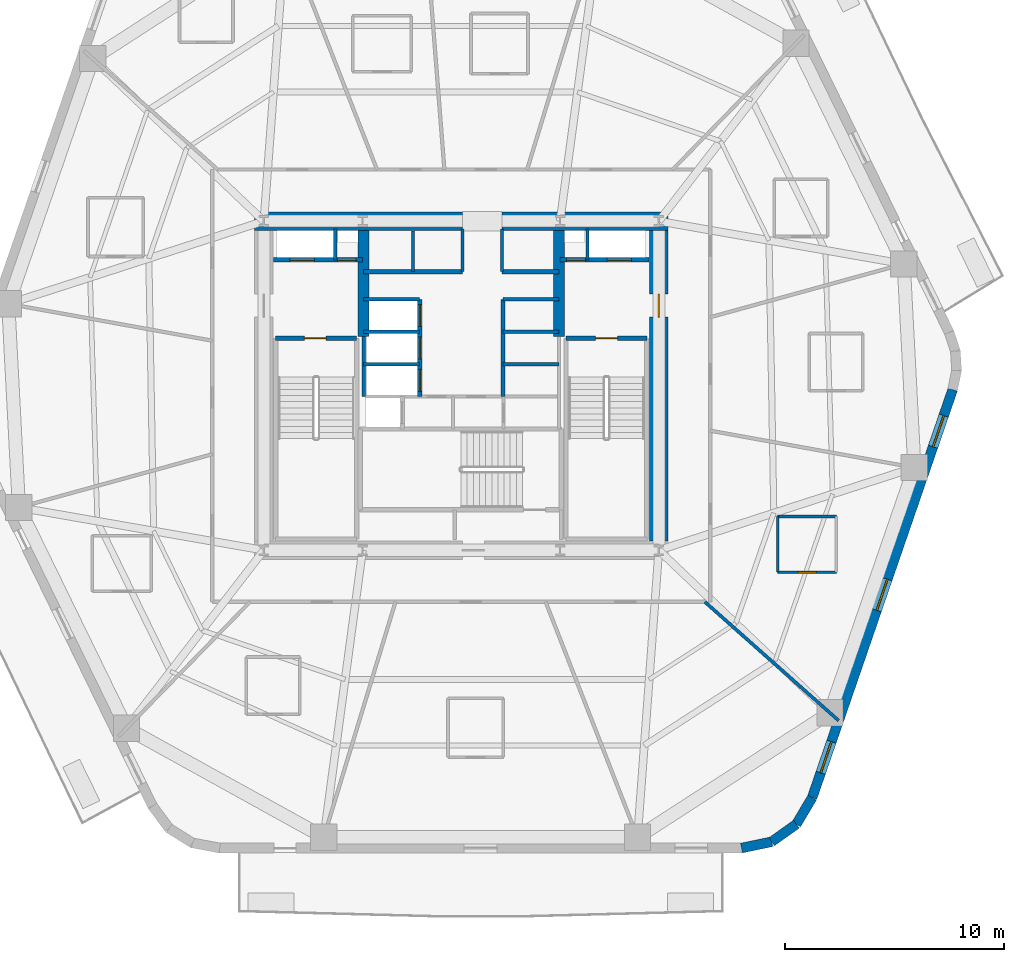
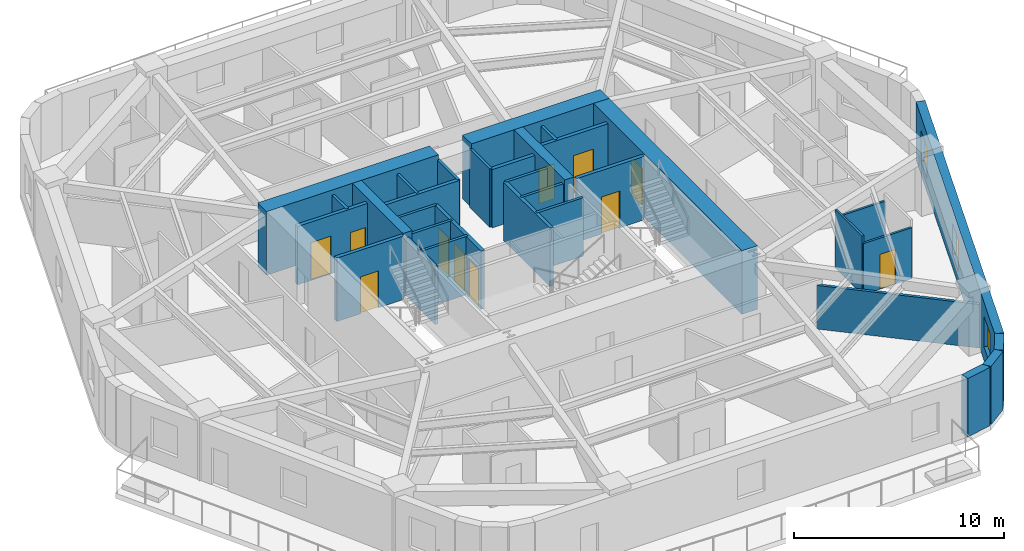
# One storey, part 4 of 9: 33 walls, 11 doors, 3 windows, 14 openings.
"""IFC4 building model written with IfcOpenShell, lengths in metres."""

from ifc_helpers import new_model, si_unit, direction, frame, frame_2d, origin, place, context, subcontext, project, spatial, rectangle, extrude, material, layer, layer_set, type_object, element, fill, save


model = new_model("IFC4")

# Units and contexts
model_context = context("Model", 3, precision=1e-05, world=origin(), true_north=direction((0.0, 1.0)))
body_context = subcontext(model_context, "Body", "Model", "MODEL_VIEW")
ifc_project = project(units=[si_unit("LENGTHUNIT", "METRE"), si_unit("AREAUNIT", "SQUARE_METRE"), si_unit("VOLUMEUNIT", "CUBIC_METRE"), si_unit("PLANEANGLEUNIT", "RADIAN"), si_unit("MASSUNIT", "GRAM", prefix="KILO")], contexts=[model_context])

# Site, building, storey
site_placement = place(None, origin())
site = spatial("IfcSite", under=ifc_project, at=site_placement, CompositionType="ELEMENT")
building_placement = place(site_placement, origin())
building = spatial("IfcBuilding", under=site, at=building_placement, Name="Kilnhurst Terrace Hotel", CompositionType="ELEMENT")
storey_placement = place(building_placement, frame((0.0, 0.0, 124.699951171875)))
storey = spatial("IfcBuildingStorey", under=building, at=storey_placement, Name="L30", CompositionType="ELEMENT", Elevation=124.699951171875)

# Walls
ifc_material_1 = material(Name="Precast concrete C40/50", Category="concrete")
ifc_layer_1 = layer(ifc_material_1, 0.449951171875, Name="Precast concrete C40/50")
ifc_layer_set_1 = layer_set([ifc_layer_1], Name="Precast concrete C40/50")
wall_type_1 = type_object("IfcWallType", Name="WL-BRK-450", PredefinedType="SOLIDWALL", material=ifc_layer_set_1)
wall_1_placement = place(storey_placement, frame((12.7705078125, -21.074951171875, 0.0), z_axis=(0.0, 0.0, 1.0), x_axis=(0.97874281988, 0.205091424819, 0.0)))
element("IfcWall", 1, at=wall_1_placement, inside=storey, type_object=wall_type_1, Name="L30 Rounded Corner Brick Wall C2.1", PredefinedType="SOLIDWALL", context=body_context, shape_type="SweptSolid", body=[
    extrude(rectangle(XDim=1.40576171875, YDim=0.449951171875, at=frame_2d((0.702880859375, 0.0))), origin(), (0.0, 0.0, 1.0), 3.400146484375),
])
wall_2_placement = place(storey_placement, frame((14.146484375, -20.78662109375, 0.0), z_axis=(0.0, 0.0, 1.0), x_axis=(0.814162929117, 0.580636482536, 0.0)))
element("IfcWall", 2, at=wall_2_placement, inside=storey, type_object=wall_type_1, Name="L30 Rounded Corner Brick Wall C2.2", PredefinedType="SOLIDWALL", context=body_context, shape_type="SweptSolid", body=[
    extrude(rectangle(XDim=1.382080078125, YDim=0.449951171875, at=frame_2d((0.69091796875, 0.0))), origin(), (0.0, 0.0, 1.0), 3.400146484375),
])
wall_3_placement = place(storey_placement, frame((15.271728515625, -19.984130859375, 0.0), z_axis=(0.0, 0.0, 1.0), x_axis=(0.512579347361, 0.858639862025, 0.0)))
element("IfcWall", 3, at=wall_3_placement, inside=storey, type_object=wall_type_1, Name="L30 Rounded Corner Brick Wall C2.3", PredefinedType="SOLIDWALL", context=body_context, shape_type="SweptSolid", body=[
    extrude(rectangle(XDim=1.406005859375, YDim=0.449951171875, at=frame_2d((0.703125, 0.0))), origin(), (0.0, 0.0, 1.0), 3.400146484375),
])

# Wall, openings, windows
wall_4_placement = place(storey_placement, frame((15.992431640625, -18.77685546875, 0.0), z_axis=(0.0, 0.0, 1.0), x_axis=(0.325606988926, 0.945505202927, 0.0)))
wall_4 = element("IfcWall", 4, at=wall_4_placement, inside=storey, type_object=wall_type_1, Name="L30 Exterior Brick Facade Wall F2", PredefinedType="SOLIDWALL", context=body_context, shape_type="SweptSolid", body=[
    extrude(rectangle(XDim=19.66943359375, YDim=0.449951171875, at=frame_2d((9.834716796875, 0.0))), origin(), (0.0, 0.0, 1.0), 3.400146484375),
])
opening_1_placement = place(wall_4_placement, frame((1.197021484375, 0.0, 0.800048828125)))
opening_1 = element("IfcOpeningElement", 5, at=opening_1_placement, cuts=wall_4, Name="Opening W-02", PredefinedType="OPENING", context=body_context, shape_type="SweptSolid", body=[
    extrude(rectangle(XDim=1.5, YDim=1.800048828125, at=frame_2d((0.75, 0.89990234375))), frame((0.0, 0.23486328125, 0.0), z_axis=(0.0, -1.0, 0.0), x_axis=(1.0, 0.0, 0.0)), (0.0, 0.0, 1.0), 0.469970703125),
])
opening_2_placement = place(wall_4_placement, frame((9.030029296875, 0.0, 0.800048828125)))
opening_2 = element("IfcOpeningElement", 6, at=opening_2_placement, cuts=wall_4, Name="Opening W-02", PredefinedType="OPENING", context=body_context, shape_type="SweptSolid", body=[
    extrude(rectangle(XDim=1.5, YDim=1.800048828125, at=frame_2d((0.75, 0.89990234375))), frame((0.0, 0.23486328125, 0.0), z_axis=(0.0, -1.0, 0.0), x_axis=(1.0, 0.0, 0.0)), (0.0, 0.0, 1.0), 0.469970703125),
])
opening_3_placement = place(wall_4_placement, frame((16.91796875, 0.0, 0.800048828125)))
opening_3 = element("IfcOpeningElement", 7, at=opening_3_placement, cuts=wall_4, Name="Opening W-02", PredefinedType="OPENING", context=body_context, shape_type="SweptSolid", body=[
    extrude(rectangle(XDim=1.5, YDim=1.800048828125, at=frame_2d((0.75, 0.89990234375))), frame((0.0, 0.23486328125, 0.0), z_axis=(0.0, -1.0, 0.0), x_axis=(1.0, 0.0, 0.0)), (0.0, 0.0, 1.0), 0.469970703125),
])
ifc_material_2 = material(Name="Thermally Broken Bronze Aluminium Alloy 6063-T6 and Low-E Glass", Category="aluminium")
window_type = type_object("IfcWindowType", Name="WIN-1500X1800", PartitioningType="SINGLE_PANEL", PredefinedType="WINDOW", material=ifc_material_2)
window_1_placement = place(opening_1_placement, origin())
window_1 = element("IfcWindow", 8, at=window_1_placement, inside=storey, type_object=window_type, Name="L30 Deep-Set Masonry Window F2.1", OverallHeight=1.800048828125, OverallWidth=1.5, PartitioningType="SINGLE_PANEL", PredefinedType="WINDOW", context=body_context, shape_type="SweptSolid", body=[
    extrude(rectangle(XDim=1.5, YDim=1.800048828125, at=frame_2d((0.75, 0.89990234375))), frame((0.0, 0.030029296875, 0.0), z_axis=(0.0, -1.0, 0.0), x_axis=(1.0, 0.0, 0.0)), (0.0, 0.0, 1.0), 0.06005859375),
])
fill(opening_1, window_1)
window_2_placement = place(opening_2_placement, origin())
window_2 = element("IfcWindow", 9, at=window_2_placement, inside=storey, type_object=window_type, Name="L30 Deep-Set Masonry Window F2.2", OverallHeight=1.800048828125, OverallWidth=1.5, PartitioningType="SINGLE_PANEL", PredefinedType="WINDOW", context=body_context, shape_type="SweptSolid", body=[
    extrude(rectangle(XDim=1.5, YDim=1.800048828125, at=frame_2d((0.75, 0.89990234375))), frame((0.0, 0.030029296875, 0.0), z_axis=(0.0, -1.0, 0.0), x_axis=(1.0, 0.0, 0.0)), (0.0, 0.0, 1.0), 0.06005859375),
])
fill(opening_2, window_2)
window_3_placement = place(opening_3_placement, origin())
window_3 = element("IfcWindow", 10, at=window_3_placement, inside=storey, type_object=window_type, Name="L30 Deep-Set Masonry Window F2.3", OverallHeight=1.800048828125, OverallWidth=1.5, PartitioningType="SINGLE_PANEL", PredefinedType="WINDOW", context=body_context, shape_type="SweptSolid", body=[
    extrude(rectangle(XDim=1.5, YDim=1.800048828125, at=frame_2d((0.75, 0.89990234375))), frame((0.0, 0.030029296875, 0.0), z_axis=(0.0, -1.0, 0.0), x_axis=(1.0, 0.0, 0.0)), (0.0, 0.0, 1.0), 0.06005859375),
])
fill(opening_3, window_3)

# Walls
ifc_material_3 = material(Name="Concrete C80/95", Category="concrete")
ifc_layer_2 = layer(ifc_material_3, 0.85009765625, Name="Concrete C80/95")
ifc_layer_set_2 = layer_set([ifc_layer_2], Name="Concrete C80/95")
wall_type_2 = type_object("IfcWallType", Name="WL-CORE-850", PredefinedType="SHEAR", material=ifc_layer_set_2)
wall_5_placement = place(storey_placement, frame((-9.425048828125, 7.5, 0.0), z_axis=(0.0, 0.0, 1.0), x_axis=(1.0, 0.0, 0.0)))
element("IfcWall", 11, at=wall_5_placement, inside=storey, type_object=wall_type_2, Name="L30 Core North West Shear Wall", PredefinedType="SHEAR", context=body_context, shape_type="SweptSolid", body=[
    extrude(rectangle(XDim=9.47509765625, YDim=0.85009765625, at=frame_2d((4.737548828125, 0.0))), origin(), (0.0, 0.0, 1.0), 3.699951171875),
])
wall_6_placement = place(storey_placement, frame((1.85009765625, 7.5, 0.0), z_axis=(0.0, 0.0, 1.0), x_axis=(1.0, 0.0, 0.0)))
element("IfcWall", 12, at=wall_6_placement, inside=storey, type_object=wall_type_2, Name="L30 Core North East Shear Wall", PredefinedType="SHEAR", context=body_context, shape_type="SweptSolid", body=[
    extrude(rectangle(XDim=7.574951171875, YDim=0.85009765625, at=frame_2d((3.78759765625, 0.0))), origin(), (0.0, 0.0, 1.0), 3.699951171875),
])

# Wall, opening, door
wall_7_placement = place(storey_placement, frame((9.0, -7.074951171875, 0.0), z_axis=(0.0, 0.0, 1.0), x_axis=(0.0, 1.0, 0.0)))
wall_7 = element("IfcWall", 13, at=wall_7_placement, inside=storey, type_object=wall_type_2, Name="L30 Core East Shear Wall", PredefinedType="SHEAR", context=body_context, shape_type="SweptSolid", body=[
    extrude(rectangle(XDim=14.14990234375, YDim=0.85009765625, at=frame_2d((7.074951171875, 0.0))), origin(), (0.0, 0.0, 1.0), 3.699951171875),
])
opening_4_placement = place(wall_7_placement, frame((10.199951171875, 0.0, 0.0)))
opening_4 = element("IfcOpeningElement", 14, at=opening_4_placement, cuts=wall_7, Name="Opening D-90A", PredefinedType="OPENING", context=body_context, shape_type="SweptSolid", body=[
    extrude(rectangle(XDim=1.050048828125, YDim=2.14990234375, at=frame_2d((0.52490234375, 1.074951171875))), frame((0.0, 0.43505859375, 0.0), z_axis=(0.0, -1.0, 0.0), x_axis=(1.0, 0.0, 0.0)), (0.0, 0.0, 1.0), 0.8701171875),
])
ifc_material_4 = material(Name="Painted Hollow Metal Steel ASTM A36 Fire Door", Category="steel")
door_type_1 = type_object("IfcDoorType", Name="DR-FD90-1050", OperationType="NOTDEFINED", PredefinedType="DOOR", material=ifc_material_4)
door_1_placement = place(opening_4_placement, origin())
door_1 = element("IfcDoor", 15, at=door_1_placement, inside=storey, type_object=door_type_1, Name="L30 East Firefighting Lobby Door", OperationType="SINGLE_SWING_LEFT", OverallHeight=2.14990234375, OverallWidth=1.050048828125, PredefinedType="DOOR", context=body_context, shape_type="SweptSolid", body=[
    extrude(rectangle(XDim=1.050048828125, YDim=2.14990234375, at=frame_2d((0.52490234375, 1.074951171875))), frame((0.0, 0.02490234375, 0.0), z_axis=(0.0, -1.0, 0.0), x_axis=(1.0, 0.0, 0.0)), (0.0, 0.0, 1.0), 0.050048828125),
])
fill(opening_4, door_1)

# Walls
ifc_material_5 = material(Name="Concrete C60/75", Category="concrete")
ifc_layer_3 = layer(ifc_material_5, 0.5, Name="Concrete C60/75")
ifc_layer_set_3 = layer_set([ifc_layer_3], Name="Concrete C60/75")
wall_type_3 = type_object("IfcWallType", Name="WL-CORE-WEB-500", PredefinedType="SHEAR", material=ifc_layer_set_3)
for number, where, z_axis, x_axis, name in (
    (16, (-4.449951171875, 2.25, 0.0), (0.0, 0.0, 1.0), (0.0, 1.0, 0.0), "L30 Core Internal West Shear Web"),
    (17, (4.449951171875, 2.25, 0.0), (0.0, 0.0, 1.0), (0.0, 1.0, 0.0), "L30 Core Internal East Shear Web"),
):
    element("IfcWall", number, at=place(storey_placement, frame(where, z_axis=z_axis, x_axis=x_axis)), inside=storey, type_object=wall_type_3, Name=name, PredefinedType="SHEAR", context=body_context, shape_type="SweptSolid", body=[
        extrude(rectangle(XDim=4.824951171875, YDim=0.5, at=frame_2d((2.41259765625, 0.0))), origin(), (0.0, 0.0, 1.0), 3.699951171875),
    ])
ifc_material_6 = material(Name="STC-58 Acoustic Twin-Frame Guestroom Demising Partition")
ifc_layer_4 = layer(ifc_material_6, 0.14990234375, Name="STC-58 Acoustic Twin-Frame Guestroom Demising Partition")
ifc_layer_set_4 = layer_set([ifc_layer_4], Name="STC-58 Acoustic Twin-Frame Guestroom Demising Partition")
wall_type_4 = type_object("IfcWallType", Name="WL-DEM-150", PredefinedType="PARTITIONING", material=ifc_layer_set_4)
wall_8_placement = place(storey_placement, frame((11.097900390625, -9.85009765625, 0.0), z_axis=(0.0, 0.0, 1.0), x_axis=(0.747904295103, -0.663806572253, 0.0)))
element("IfcWall", 18, at=wall_8_placement, inside=storey, type_object=wall_type_4, Name="L30 Interior Wall WL-L30-DEM-COL11-12-1", PredefinedType="PARTITIONING", context=body_context, shape_type="SweptSolid", body=[
    extrude(rectangle(XDim=8.160400390625, YDim=0.14990234375, at=frame_2d((4.080078125, 0.0))), origin(), (0.0, 0.0, 1.0), 2.5400390625),
])

# Wall, opening, door
ifc_material_7 = material(Name="120 mm Moisture-Resistant Tile-Backed Bathroom Partition")
ifc_layer_5 = layer(ifc_material_7, 0.1201171875, Name="120 mm Moisture-Resistant Tile-Backed Bathroom Partition")
ifc_layer_set_5 = layer_set([ifc_layer_5], Name="120 mm Moisture-Resistant Tile-Backed Bathroom Partition")
wall_type_5 = type_object("IfcWallType", Name="WL-PART-120", PredefinedType="PARTITIONING", material=ifc_layer_set_5)
wall_9_placement = place(storey_placement, frame((14.4140625, -8.5, 0.0), z_axis=(0.0, 0.0, 1.0), x_axis=(1.0, 0.0, 0.0)))
wall_9 = element("IfcWall", 19, at=wall_9_placement, inside=storey, type_object=wall_type_5, Name="L30 Interior Wall WL-L30-BTH-12-1", PredefinedType="PARTITIONING", context=body_context, shape_type="SweptSolid", body=[
    extrude(rectangle(XDim=2.679931640625, YDim=0.1201171875, at=frame_2d((1.33984375, 0.0))), origin(), (0.0, 0.0, 1.0), 2.972412109375),
])
opening_5_placement = place(wall_9_placement, frame((0.9150390625, 0.0, 0.0)))
opening_5 = element("IfcOpeningElement", 20, at=opening_5_placement, cuts=wall_9, Name="Opening D-08A", PredefinedType="OPENING", context=body_context, shape_type="SweptSolid", body=[
    extrude(rectangle(XDim=0.85009765625, YDim=2.030029296875, at=frame_2d((0.425048828125, 1.01513671875))), frame((0.0, 0.070068359375, 0.0), z_axis=(0.0, -1.0, 0.0), x_axis=(1.0, 0.0, 0.0)), (0.0, 0.0, 1.0), 0.14013671875),
])
ifc_material_8 = material(Name="Moisture-Resistant Lacquered En-suite Bathroom Door")
door_type_2 = type_object("IfcDoorType", Name="DR-INT-850", OperationType="NOTDEFINED", PredefinedType="DOOR", material=ifc_material_8)
door_2_placement = place(opening_5_placement, origin())
door_2 = element("IfcDoor", 21, at=door_2_placement, inside=storey, type_object=door_type_2, Name="L30 En-suite Bathroom Door 12", OperationType="SINGLE_SWING_LEFT", OverallHeight=2.030029296875, OverallWidth=0.85009765625, PredefinedType="DOOR", context=body_context, shape_type="SweptSolid", body=[
    extrude(rectangle(XDim=0.85009765625, YDim=2.030029296875, at=frame_2d((0.425048828125, 1.01513671875))), frame((0.0, 0.02490234375, 0.0), z_axis=(0.0, -1.0, 0.0), x_axis=(1.0, 0.0, 0.0)), (0.0, 0.0, 1.0), 0.050048828125),
])
fill(opening_5, door_2)

# Walls
wall_10_placement = place(storey_placement, frame((17.093994140625, -5.9599609375, 0.0), z_axis=(0.0, 0.0, 1.0), x_axis=(-1.0, 0.0, 0.0)))
element("IfcWall", 22, at=wall_10_placement, inside=storey, type_object=wall_type_5, Name="L30 Interior Wall WL-L30-BTH-12-3", PredefinedType="PARTITIONING", context=body_context, shape_type="SweptSolid", body=[
    extrude(rectangle(XDim=2.679931640625, YDim=0.1201171875, at=frame_2d((1.33984375, 0.0))), origin(), (0.0, 0.0, 1.0), 2.972412109375),
])
wall_11_placement = place(storey_placement, frame((14.4140625, -5.9599609375, 0.0), z_axis=(0.0, 0.0, 1.0), x_axis=(0.0, -1.0, 0.0)))
element("IfcWall", 23, at=wall_11_placement, inside=storey, type_object=wall_type_5, Name="L30 Interior Wall WL-L30-BTH-12-4", PredefinedType="PARTITIONING", context=body_context, shape_type="SweptSolid", body=[
    extrude(rectangle(XDim=2.5400390625, YDim=0.1201171875, at=frame_2d((1.27001953125, 0.0))), origin(), (0.0, 0.0, 1.0), 3.400146484375),
])
ifc_material_9 = material(Name="Fire-Rated Gypsum Shaftliner Assembly")
ifc_layer_6 = layer(ifc_material_9, 0.14990234375, Name="Fire-Rated Gypsum Shaftliner Assembly")
ifc_layer_set_6 = layer_set([ifc_layer_6], Name="Fire-Rated Gypsum Shaftliner Assembly")
wall_type_6 = type_object("IfcWallType", Name="WL-SHAFT-150", PredefinedType="PARTITIONING", material=ifc_layer_set_6)
for number, where, z_axis, x_axis, name in (
    (24, (-5.75, 5.739990234375, 0.0), (0.0, 0.0, 1.0), (0.0, 1.0, 0.0), "L30 Interior Wall WL-L30-RIS1-DIV"),
    (25, (5.75, 5.739990234375, 0.0), (0.0, 0.0, 1.0), (0.0, 1.0, 0.0), "L30 Interior Wall WL-L30-RIS2-DIV"),
):
    element("IfcWall", number, at=place(storey_placement, frame(where, z_axis=z_axis, x_axis=x_axis)), inside=storey, type_object=wall_type_6, Name=name, PredefinedType="PARTITIONING", context=body_context, shape_type="SweptSolid", body=[
        extrude(rectangle(XDim=1.409912109375, YDim=0.14990234375, at=frame_2d((0.705078125, 0.0))), origin(), (0.0, 0.0, 1.0), 3.400146484375),
    ])
wall_12_placement = place(storey_placement, frame((-2.199951171875, 5.199951171875, 0.0), z_axis=(0.0, 0.0, 1.0), x_axis=(0.0, 1.0, 0.0)))
element("IfcWall", 26, at=wall_12_placement, inside=storey, type_object=wall_type_6, Name="L30 Interior Wall WL-L30-HR-DIV1", PredefinedType="PARTITIONING", context=body_context, shape_type="SweptSolid", body=[
    extrude(rectangle(XDim=1.85009765625, YDim=0.14990234375, at=frame_2d((0.925048828125, 0.0))), origin(), (0.0, 0.0, 1.0), 3.400146484375),
])
for number, where, z_axis, x_axis, name in (
    (27, (0.050048828125, 5.199951171875, 0.0), (0.0, 0.0, 1.0), (0.0, 1.0, 0.0), "L30 Interior Wall WL-L30-HR-PORTAL-W"),
    (28, (1.85009765625, 5.199951171875, 0.0), (0.0, 0.0, 1.0), (0.0, 1.0, 0.0), "L30 Interior Wall WL-L30-HR-PORTAL-E"),
):
    element("IfcWall", number, at=place(storey_placement, frame(where, z_axis=z_axis, x_axis=x_axis)), inside=storey, type_object=wall_type_6, Name=name, PredefinedType="PARTITIONING", context=body_context, shape_type="SweptSolid", body=[
        extrude(rectangle(XDim=1.949951171875, YDim=0.14990234375, at=frame_2d((0.97509765625, 0.0))), origin(), (0.0, 0.0, 1.0), 3.400146484375),
    ])
wall_13_placement = place(storey_placement, frame((-4.449951171875, -0.5, 0.0), z_axis=(0.0, 0.0, 1.0), x_axis=(0.0, 1.0, 0.0)))
element("IfcWall", 29, at=wall_13_placement, inside=storey, type_object=wall_type_6, Name="L30 Interior Wall WL-L30-XLOB-W", PredefinedType="PARTITIONING", context=body_context, shape_type="SweptSolid", body=[
    extrude(rectangle(XDim=2.75, YDim=0.14990234375, at=frame_2d((1.375, 0.0))), origin(), (0.0, 0.0, 1.0), 3.400146484375),
])
for number, where, z_axis, x_axis, name in (
    (30, (-4.449951171875, 3.93994140625, 0.0), (0.0, 0.0, 1.0), (1.0, 0.0, 0.0), "L30 Interior Wall WL-L30-LR-NORTH"),
    (31, (-4.449951171875, 0.97998046875, 0.0), (0.0, 0.0, 1.0), (1.0, 0.0, 0.0), "L30 Interior Wall WL-L30-LR-D1"),
    (32, (-4.449951171875, 2.4599609375, 0.0), (0.0, 0.0, 1.0), (1.0, 0.0, 0.0), "L30 Interior Wall WL-L30-LR-D2"),
    (33, (1.89990234375, 3.93994140625, 0.0), (0.0, 0.0, 1.0), (1.0, 0.0, 0.0), "L30 Interior Wall WL-L30-MR-NORTH"),
    (34, (1.89990234375, 0.97998046875, 0.0), (0.0, 0.0, 1.0), (1.0, 0.0, 0.0), "L30 Interior Wall WL-L30-MR-D1"),
    (35, (1.89990234375, 2.4599609375, 0.0), (0.0, 0.0, 1.0), (1.0, 0.0, 0.0), "L30 Interior Wall WL-L30-MR-D2"),
):
    element("IfcWall", number, at=place(storey_placement, frame(where, z_axis=z_axis, x_axis=x_axis)), inside=storey, type_object=wall_type_6, Name=name, PredefinedType="PARTITIONING", context=body_context, shape_type="SweptSolid", body=[
        extrude(rectangle(XDim=2.550048828125, YDim=0.14990234375, at=frame_2d((1.27490234375, 0.0))), origin(), (0.0, 0.0, 1.0), 3.400146484375),
    ])

# Wall, openings, doors
ifc_material_10 = material(Name="Autoclaved Aerated Concrete C30/37 and Gypsum Shaft Assembly", Category="concrete")
ifc_layer_7 = layer(ifc_material_10, 0.199951171875, Name="Autoclaved Aerated Concrete C30/37 and Gypsum Shaft Assembly")
ifc_layer_set_7 = layer_set([ifc_layer_7], Name="Autoclaved Aerated Concrete C30/37 and Gypsum Shaft Assembly")
wall_type_7 = type_object("IfcWallType", Name="WL-SHAFT-200", PredefinedType="PARTITIONING", material=ifc_layer_set_7)
wall_14_placement = place(storey_placement, frame((-8.550048828125, 5.739990234375, 0.0), z_axis=(0.0, 0.0, 1.0), x_axis=(1.0, 0.0, 0.0)))
wall_14 = element("IfcWall", 36, at=wall_14_placement, inside=storey, type_object=wall_type_7, Name="L30 Interior Wall WL-L30-FSAE1-S", PredefinedType="PARTITIONING", context=body_context, shape_type="SweptSolid", body=[
    extrude(rectangle(XDim=4.050048828125, YDim=0.199951171875, at=frame_2d((2.02490234375, 0.0))), origin(), (0.0, 0.0, 1.0), 3.400146484375),
])
opening_6_placement = place(wall_14_placement, frame((0.75, 0.0, 0.0)))
opening_6 = element("IfcOpeningElement", 37, at=opening_6_placement, cuts=wall_14, Name="Opening LD-F1", PredefinedType="OPENING", context=body_context, shape_type="SweptSolid", body=[
    extrude(rectangle(XDim=1.10009765625, YDim=2.199951171875, at=frame_2d((0.550048828125, 1.10009765625))), frame((0.0, 0.10986328125, 0.0), z_axis=(0.0, -1.0, 0.0), x_axis=(1.0, 0.0, 0.0)), (0.0, 0.0, 1.0), 0.219970703125),
])
opening_7_placement = place(wall_14_placement, frame((2.89990234375, 0.0, 0.0)))
opening_7 = element("IfcOpeningElement", 38, at=opening_7_placement, cuts=wall_14, Name="Opening D-60D", PredefinedType="OPENING", context=body_context, shape_type="SweptSolid", body=[
    extrude(rectangle(XDim=0.85009765625, YDim=2.030029296875, at=frame_2d((0.425048828125, 1.01513671875))), frame((0.0, 0.10986328125, 0.0), z_axis=(0.0, -1.0, 0.0), x_axis=(1.0, 0.0, 0.0)), (0.0, 0.0, 1.0), 0.219970703125),
])
ifc_material_11 = material(Name="Painted Hollow Metal Steel ASTM A36 Riser Door", Category="steel")
door_type_3 = type_object("IfcDoorType", Name="DR-FD60-850", OperationType="NOTDEFINED", PredefinedType="DOOR", material=ifc_material_11)
door_3_placement = place(opening_7_placement, origin())
door_3 = element("IfcDoor", 39, at=door_3_placement, inside=storey, type_object=door_type_3, Name="L30 Electrical Riser Door", OperationType="SINGLE_SWING_LEFT", OverallHeight=2.030029296875, OverallWidth=0.85009765625, PredefinedType="DOOR", context=body_context, shape_type="SweptSolid", body=[
    extrude(rectangle(XDim=0.85009765625, YDim=2.030029296875, at=frame_2d((0.425048828125, 1.01513671875))), frame((0.0, 0.02490234375, 0.0), z_axis=(0.0, -1.0, 0.0), x_axis=(1.0, 0.0, 0.0)), (0.0, 0.0, 1.0), 0.050048828125),
])
fill(opening_7, door_3)
ifc_material_12 = material(Name="Bronze-Anodized Stainless Steel AISI 316L Sliding Door", Category="steel")
door_type_4 = type_object("IfcDoorType", Name="DR-LIFT-1100", OperationType="NOTDEFINED", PredefinedType="DOOR", material=ifc_material_12)
door_4_placement = place(opening_6_placement, origin())
door_4 = element("IfcDoor", 40, at=door_4_placement, inside=storey, type_object=door_type_4, Name="L30 FSAE-1 Landing Door", OperationType="SLIDING_TO_LEFT", OverallHeight=2.199951171875, OverallWidth=1.10009765625, PredefinedType="DOOR", context=body_context, shape_type="SweptSolid", body=[
    extrude(rectangle(XDim=1.10009765625, YDim=2.199951171875, at=frame_2d((0.550048828125, 1.10009765625))), frame((0.0, 0.02490234375, 0.0), z_axis=(0.0, -1.0, 0.0), x_axis=(1.0, 0.0, 0.0)), (0.0, 0.0, 1.0), 0.050048828125),
])
fill(opening_6, door_4)

wall_15_placement = place(storey_placement, frame((4.5, 5.739990234375, 0.0), z_axis=(0.0, 0.0, 1.0), x_axis=(1.0, 0.0, 0.0)))
wall_15 = element("IfcWall", 41, at=wall_15_placement, inside=storey, type_object=wall_type_7, Name="L30 Interior Wall WL-L30-FSAE2-S", PredefinedType="PARTITIONING", context=body_context, shape_type="SweptSolid", body=[
    extrude(rectangle(XDim=4.050048828125, YDim=0.199951171875, at=frame_2d((2.02490234375, 0.0))), origin(), (0.0, 0.0, 1.0), 3.400146484375),
])
opening_8_placement = place(wall_15_placement, frame((0.300048828125, 0.0, 0.0)))
opening_8 = element("IfcOpeningElement", 42, at=opening_8_placement, cuts=wall_15, Name="Opening D-60D", PredefinedType="OPENING", context=body_context, shape_type="SweptSolid", body=[
    extrude(rectangle(XDim=0.85009765625, YDim=2.030029296875, at=frame_2d((0.425048828125, 1.01513671875))), frame((0.0, 0.10986328125, 0.0), z_axis=(0.0, -1.0, 0.0), x_axis=(1.0, 0.0, 0.0)), (0.0, 0.0, 1.0), 0.219970703125),
])
opening_9_placement = place(wall_15_placement, frame((2.14990234375, 0.0, 0.0)))
opening_9 = element("IfcOpeningElement", 43, at=opening_9_placement, cuts=wall_15, Name="Opening LD-F2", PredefinedType="OPENING", context=body_context, shape_type="SweptSolid", body=[
    extrude(rectangle(XDim=1.10009765625, YDim=2.199951171875, at=frame_2d((0.550048828125, 1.10009765625))), frame((0.0, 0.10986328125, 0.0), z_axis=(0.0, -1.0, 0.0), x_axis=(1.0, 0.0, 0.0)), (0.0, 0.0, 1.0), 0.219970703125),
])
door_5_placement = place(opening_8_placement, origin())
door_5 = element("IfcDoor", 44, at=door_5_placement, inside=storey, type_object=door_type_3, Name="L30 Telecom Riser Door", OperationType="SINGLE_SWING_RIGHT", OverallHeight=2.030029296875, OverallWidth=0.85009765625, PredefinedType="DOOR", context=body_context, shape_type="SweptSolid", body=[
    extrude(rectangle(XDim=0.85009765625, YDim=2.030029296875, at=frame_2d((0.425048828125, 1.01513671875))), frame((0.0, 0.02490234375, 0.0), z_axis=(0.0, -1.0, 0.0), x_axis=(1.0, 0.0, 0.0)), (0.0, 0.0, 1.0), 0.050048828125),
])
fill(opening_8, door_5)
door_6_placement = place(opening_9_placement, origin())
door_6 = element("IfcDoor", 45, at=door_6_placement, inside=storey, type_object=door_type_4, Name="L30 FSAE-2 Landing Door", OperationType="SLIDING_TO_RIGHT", OverallHeight=2.199951171875, OverallWidth=1.10009765625, PredefinedType="DOOR", context=body_context, shape_type="SweptSolid", body=[
    extrude(rectangle(XDim=1.10009765625, YDim=2.199951171875, at=frame_2d((0.550048828125, 1.10009765625))), frame((0.0, 0.02490234375, 0.0), z_axis=(0.0, -1.0, 0.0), x_axis=(1.0, 0.0, 0.0)), (0.0, 0.0, 1.0), 0.050048828125),
])
fill(opening_9, door_6)

# Walls
wall_16_placement = place(storey_placement, frame((-4.449951171875, 5.199951171875, 0.0), z_axis=(0.0, 0.0, 1.0), x_axis=(1.0, 0.0, 0.0)))
element("IfcWall", 46, at=wall_16_placement, inside=storey, type_object=wall_type_7, Name="L30 Interior Wall WL-L30-HR-SW", PredefinedType="PARTITIONING", context=body_context, shape_type="SweptSolid", body=[
    extrude(rectangle(XDim=4.5, YDim=0.199951171875, at=frame_2d((2.25, 0.0))), origin(), (0.0, 0.0, 1.0), 3.400146484375),
])
wall_17_placement = place(storey_placement, frame((1.85009765625, 5.199951171875, 0.0), z_axis=(0.0, 0.0, 1.0), x_axis=(1.0, 0.0, 0.0)))
element("IfcWall", 47, at=wall_17_placement, inside=storey, type_object=wall_type_7, Name="L30 Interior Wall WL-L30-HR-SE", PredefinedType="PARTITIONING", context=body_context, shape_type="SweptSolid", body=[
    extrude(rectangle(XDim=2.599853515625, YDim=0.199951171875, at=frame_2d((1.2998046875, 0.0))), origin(), (0.0, 0.0, 1.0), 3.400146484375),
])

# Wall, openings, doors
wall_18_placement = place(storey_placement, frame((-1.89990234375, -0.5, 0.0), z_axis=(0.0, 0.0, 1.0), x_axis=(0.0, 1.0, 0.0)))
wall_18 = element("IfcWall", 48, at=wall_18_placement, inside=storey, type_object=wall_type_7, Name="L30 Interior Wall WL-L30-LR-FRONT", PredefinedType="PARTITIONING", context=body_context, shape_type="SweptSolid", body=[
    extrude(rectangle(XDim=4.43994140625, YDim=0.199951171875, at=frame_2d((2.219970703125, 0.0))), origin(), (0.0, 0.0, 1.0), 3.400146484375),
])
opening_10_placement = place(wall_18_placement, frame((0.239990234375, 0.0, 0.0)))
opening_10 = element("IfcOpeningElement", 49, at=opening_10_placement, cuts=wall_18, Name="Opening LD-LR", PredefinedType="OPENING", context=body_context, shape_type="SweptSolid", body=[
    extrude(rectangle(XDim=1.0, YDim=2.199951171875, at=frame_2d((0.5, 1.10009765625))), frame((0.0, 0.10986328125, 0.0), z_axis=(0.0, -1.0, 0.0), x_axis=(1.0, 0.0, 0.0)), (0.0, 0.0, 1.0), 0.219970703125),
])
opening_11_placement = place(wall_18_placement, frame((1.719970703125, 0.0, 0.0)))
opening_11 = element("IfcOpeningElement", 50, at=opening_11_placement, cuts=wall_18, Name="Opening LD-LR", PredefinedType="OPENING", context=body_context, shape_type="SweptSolid", body=[
    extrude(rectangle(XDim=1.0, YDim=2.199951171875, at=frame_2d((0.5, 1.10009765625))), frame((0.0, 0.10986328125, 0.0), z_axis=(0.0, -1.0, 0.0), x_axis=(1.0, 0.0, 0.0)), (0.0, 0.0, 1.0), 0.219970703125),
])
opening_12_placement = place(wall_18_placement, frame((3.199951171875, 0.0, 0.0)))
opening_12 = element("IfcOpeningElement", 51, at=opening_12_placement, cuts=wall_18, Name="Opening LD-LR", PredefinedType="OPENING", context=body_context, shape_type="SweptSolid", body=[
    extrude(rectangle(XDim=1.0, YDim=2.199951171875, at=frame_2d((0.5, 1.10009765625))), frame((0.0, 0.10986328125, 0.0), z_axis=(0.0, -1.0, 0.0), x_axis=(1.0, 0.0, 0.0)), (0.0, 0.0, 1.0), 0.219970703125),
])
door_type_5 = type_object("IfcDoorType", Name="DR-LIFT-1000", OperationType="NOTDEFINED", PredefinedType="DOOR", material=ifc_material_12)
door_7_placement = place(opening_10_placement, origin())
door_7 = element("IfcDoor", 52, at=door_7_placement, inside=storey, type_object=door_type_5, Name="L30 Low Rise Lift LR-1 Landing Door", OperationType="SLIDING_TO_LEFT", OverallHeight=2.199951171875, OverallWidth=1.0, PredefinedType="DOOR", context=body_context, shape_type="SweptSolid", body=[
    extrude(rectangle(XDim=1.0, YDim=2.199951171875, at=frame_2d((0.5, 1.10009765625))), frame((0.0, 0.02490234375, 0.0), z_axis=(0.0, -1.0, 0.0), x_axis=(1.0, 0.0, 0.0)), (0.0, 0.0, 1.0), 0.050048828125),
])
fill(opening_10, door_7)
door_8_placement = place(opening_11_placement, origin())
door_8 = element("IfcDoor", 53, at=door_8_placement, inside=storey, type_object=door_type_5, Name="L30 Low Rise Lift LR-2 Landing Door", OperationType="SLIDING_TO_LEFT", OverallHeight=2.199951171875, OverallWidth=1.0, PredefinedType="DOOR", context=body_context, shape_type="SweptSolid", body=[
    extrude(rectangle(XDim=1.0, YDim=2.199951171875, at=frame_2d((0.5, 1.10009765625))), frame((0.0, 0.02490234375, 0.0), z_axis=(0.0, -1.0, 0.0), x_axis=(1.0, 0.0, 0.0)), (0.0, 0.0, 1.0), 0.050048828125),
])
fill(opening_11, door_8)
door_9_placement = place(opening_12_placement, origin())
door_9 = element("IfcDoor", 54, at=door_9_placement, inside=storey, type_object=door_type_5, Name="L30 Low Rise Lift LR-3 Landing Door", OperationType="SLIDING_TO_LEFT", OverallHeight=2.199951171875, OverallWidth=1.0, PredefinedType="DOOR", context=body_context, shape_type="SweptSolid", body=[
    extrude(rectangle(XDim=1.0, YDim=2.199951171875, at=frame_2d((0.5, 1.10009765625))), frame((0.0, 0.02490234375, 0.0), z_axis=(0.0, -1.0, 0.0), x_axis=(1.0, 0.0, 0.0)), (0.0, 0.0, 1.0), 0.050048828125),
])
fill(opening_12, door_9)

# Wall
wall_19_placement = place(storey_placement, frame((1.89990234375, -0.5, 0.0), z_axis=(0.0, 0.0, 1.0), x_axis=(0.0, 1.0, 0.0)))
element("IfcWall", 55, at=wall_19_placement, inside=storey, type_object=wall_type_7, Name="L30 Interior Wall WL-L30-MR-FRONT", PredefinedType="PARTITIONING", context=body_context, shape_type="SweptSolid", body=[
    extrude(rectangle(XDim=4.43994140625, YDim=0.199951171875, at=frame_2d((2.219970703125, 0.0))), origin(), (0.0, 0.0, 1.0), 3.400146484375),
])

# Wall, opening, door
ifc_material_13 = material(Name="Concrete C50/60", Category="concrete")
ifc_layer_8 = layer(ifc_material_13, 0.199951171875, Name="Concrete C50/60")
ifc_layer_set_8 = layer_set([ifc_layer_8], Name="Concrete C50/60")
wall_type_8 = type_object("IfcWallType", Name="WL-STAIR-RC-200", PredefinedType="SHEAR", material=ifc_layer_set_8)
wall_20_placement = place(storey_placement, frame((-8.4580078125, 2.157958984375, 0.0), z_axis=(0.0, 0.0, 1.0), x_axis=(1.0, 0.0, 0.0)))
wall_20 = element("IfcWall", 56, at=wall_20_placement, inside=storey, type_object=wall_type_8, Name="L30 Structural Stair Shaft Wall WL-L30-ST1-N", PredefinedType="SHEAR", context=body_context, shape_type="SweptSolid", body=[
    extrude(rectangle(XDim=3.68603515625, YDim=0.199951171875, at=frame_2d((1.843017578125, 0.0))), origin(), (0.0, 0.0, 1.0), 3.699951171875),
])
opening_13_placement = place(wall_20_placement, frame((1.300048828125, 0.0, 0.0)))
opening_13 = element("IfcOpeningElement", 57, at=opening_13_placement, cuts=wall_20, Name="Opening D-90B", PredefinedType="OPENING", context=body_context, shape_type="SweptSolid", body=[
    extrude(rectangle(XDim=1.0, YDim=2.14990234375, at=frame_2d((0.5, 1.074951171875))), frame((0.0, 0.10986328125, 0.0), z_axis=(0.0, -1.0, 0.0), x_axis=(1.0, 0.0, 0.0)), (0.0, 0.0, 1.0), 0.219970703125),
])
door_type_6 = type_object("IfcDoorType", Name="DR-FD90-1000", OperationType="NOTDEFINED", PredefinedType="DOOR", material=ifc_material_4)
door_10_placement = place(opening_13_placement, origin())
door_10 = element("IfcDoor", 58, at=door_10_placement, inside=storey, type_object=door_type_6, Name="L30 Stair ST-1 Door", OperationType="SINGLE_SWING_LEFT", OverallHeight=2.14990234375, OverallWidth=1.0, PredefinedType="DOOR", context=body_context, shape_type="SweptSolid", body=[
    extrude(rectangle(XDim=1.0, YDim=2.14990234375, at=frame_2d((0.5, 1.074951171875))), frame((0.0, 0.02490234375, 0.0), z_axis=(0.0, -1.0, 0.0), x_axis=(1.0, 0.0, 0.0)), (0.0, 0.0, 1.0), 0.050048828125),
])
fill(opening_13, door_10)

wall_21_placement = place(storey_placement, frame((4.77197265625, 2.157958984375, 0.0), z_axis=(0.0, 0.0, 1.0), x_axis=(1.0, 0.0, 0.0)))
wall_21 = element("IfcWall", 59, at=wall_21_placement, inside=storey, type_object=wall_type_8, Name="L30 Structural Stair Shaft Wall WL-L30-ST2-N", PredefinedType="SHEAR", context=body_context, shape_type="SweptSolid", body=[
    extrude(rectangle(XDim=3.68603515625, YDim=0.199951171875, at=frame_2d((1.843017578125, 0.0))), origin(), (0.0, 0.0, 1.0), 3.699951171875),
])
opening_14_placement = place(wall_21_placement, frame((1.35009765625, 0.0, 0.0)))
opening_14 = element("IfcOpeningElement", 60, at=opening_14_placement, cuts=wall_21, Name="Opening D-90B", PredefinedType="OPENING", context=body_context, shape_type="SweptSolid", body=[
    extrude(rectangle(XDim=1.0, YDim=2.14990234375, at=frame_2d((0.5, 1.074951171875))), frame((0.0, 0.10986328125, 0.0), z_axis=(0.0, -1.0, 0.0), x_axis=(1.0, 0.0, 0.0)), (0.0, 0.0, 1.0), 0.219970703125),
])
door_11_placement = place(opening_14_placement, origin())
door_11 = element("IfcDoor", 61, at=door_11_placement, inside=storey, type_object=door_type_6, Name="L30 Stair ST-2 Door", OperationType="SINGLE_SWING_RIGHT", OverallHeight=2.14990234375, OverallWidth=1.0, PredefinedType="DOOR", context=body_context, shape_type="SweptSolid", body=[
    extrude(rectangle(XDim=1.0, YDim=2.14990234375, at=frame_2d((0.5, 1.074951171875))), frame((0.0, 0.02490234375, 0.0), z_axis=(0.0, -1.0, 0.0), x_axis=(1.0, 0.0, 0.0)), (0.0, 0.0, 1.0), 0.050048828125),
])
fill(opening_14, door_11)

save(model, "model.ifc")
